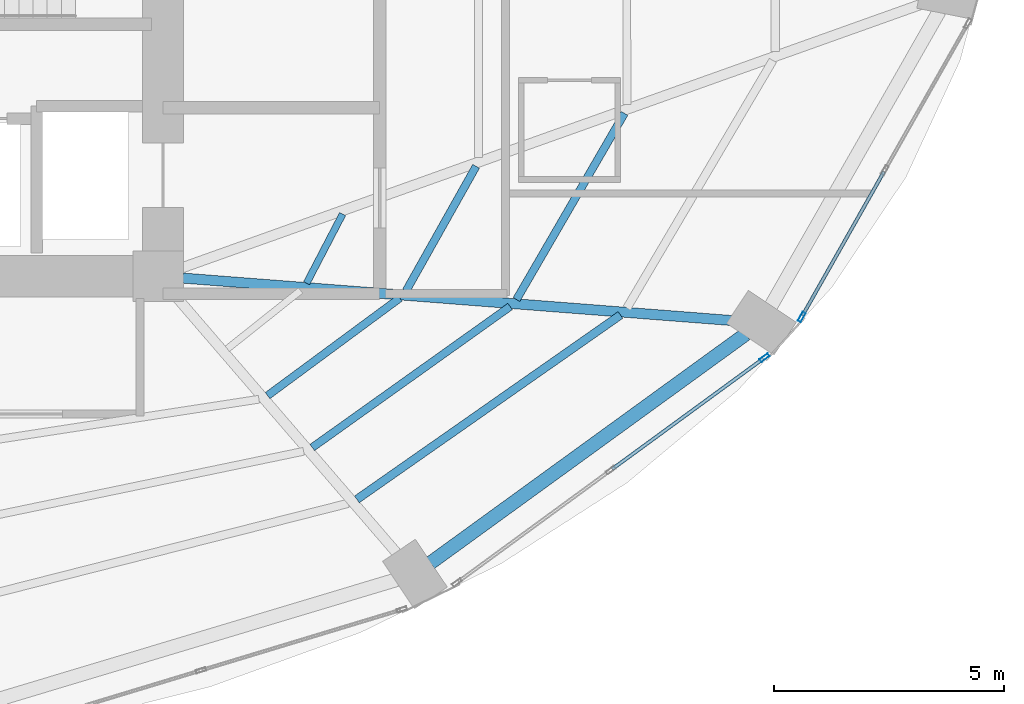
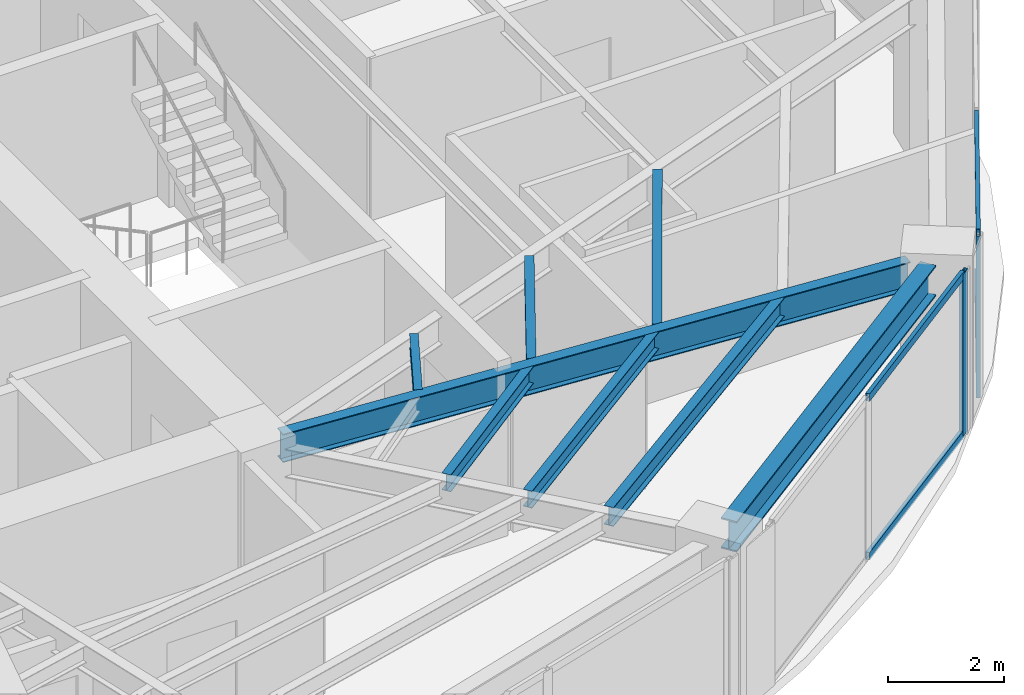
# One storey, part 10 of 25: 8 beams, 6 members, 2 elements without a shape of their own.
"""IFC4 building model written with IfcOpenShell, lengths in metres."""

from ifc_helpers import new_model, si_unit, direction, frame, origin, origin_2d, place, context, subcontext, project, spatial, hollow_rectangle, i_section, extrude, material, layer, layer_set, material_profile, profile_set, type_object, element, aggregate, save


model = new_model("IFC4")

# Units and contexts
model_context = context("Model", 3, precision=1e-05, world=origin(), true_north=direction((0.0, 1.0)))
body_context = subcontext(model_context, "Body", "Model", "MODEL_VIEW")
ifc_project = project(units=[si_unit("LENGTHUNIT", "METRE"), si_unit("AREAUNIT", "SQUARE_METRE"), si_unit("VOLUMEUNIT", "CUBIC_METRE"), si_unit("PLANEANGLEUNIT", "RADIAN"), si_unit("MASSUNIT", "GRAM", prefix="KILO")], contexts=[model_context])

# Site, building, storey
site_placement = place(None, origin())
site = spatial("IfcSite", under=ifc_project, at=site_placement, CompositionType="ELEMENT")
building_placement = place(site_placement, origin())
building = spatial("IfcBuilding", under=site, at=building_placement, Name="Lazwardi Medical Tower", CompositionType="ELEMENT")
storey_placement = place(building_placement, frame((0.0, 0.0, 28.847900390625)))
storey = spatial("IfcBuildingStorey", under=building, at=storey_placement, Name="L06", CompositionType="ELEMENT", Elevation=28.847900390625)

# Beams
ifc_material_1 = material(Name="Steel S355", Category="steel")
ifc_material_profile_1 = material_profile(ifc_material_1, i_section(OverallWidth=0.300048828125, OverallDepth=0.64990234375, WebThickness=0.01611328125, FlangeThickness=0.031005859375, at=origin_2d()), Name="HEB 650")
ifc_profile_set_1 = profile_set([ifc_material_profile_1], Name="Steel S355")
beam_type_1 = type_object("IfcBeamType", Name="BM-RB-Z1", PredefinedType="BEAM", material=ifc_profile_set_1)
beam_1_placement = place(storey_placement, frame((51.52099609375, 14.16259765625, 3.10302734375), z_axis=(0.80939338516, 0.5872668457, 0.0), x_axis=(-0.5872668457, 0.80939338516, 0.0)))
element("IfcBeam", 1, at=beam_1_placement, inside=storey, type_object=beam_type_1, Name="Ring beam RB-02 B02 L06", PredefinedType="BEAM", context=body_context, shape_type="SweptSolid", body=[
    extrude(i_section(OverallWidth=0.300048828125, OverallDepth=0.64990234375, WebThickness=0.01611328125, FlangeThickness=0.031005859375, at=origin_2d()), origin(), (0.0, 0.0, 1.0), 8.47412109375),
])
ifc_material_profile_2 = material_profile(ifc_material_1, i_section(OverallWidth=0.219970703125, OverallDepth=0.60009765625, WebThickness=0.011962890625, FlangeThickness=0.01904296875, at=origin_2d()), Name="IPE 600")
ifc_profile_set_2 = profile_set([ifc_material_profile_2], Name="Steel S355")
beam_type_2 = type_object("IfcBeamType", Name="BM-RG-W1", PredefinedType="BEAM", material=ifc_profile_set_2)
beam_2_placement = place(storey_placement, frame((58.1416015625, 19.430419921875, 3.128173828125), z_axis=(-0.997024241118, 0.077088667283, 0.0), x_axis=(-0.077088667283, -0.997024241118, 0.0)))
element("IfcBeam", 2, at=beam_2_placement, inside=storey, type_object=beam_type_2, Name="Radial girder RG-02 R03 L06", PredefinedType="BEAM", context=body_context, shape_type="SweptSolid", body=[
    extrude(i_section(OverallWidth=0.219970703125, OverallDepth=0.60009765625, WebThickness=0.011962890625, FlangeThickness=0.01904296875, at=origin_2d()), origin(), (0.0, 0.0, 1.0), 12.044189453125),
])
ifc_material_profile_3 = material_profile(ifc_material_1, i_section(OverallWidth=0.179931640625, OverallDepth=0.39990234375, WebThickness=0.008544921875, FlangeThickness=0.013427734375, at=origin_2d()), Name="IPE 400")
ifc_profile_set_3 = profile_set([ifc_material_profile_3], Name="Steel S355")
beam_type_3 = type_object("IfcBeamType", Name="BM-SJ-01", PredefinedType="JOIST", material=ifc_profile_set_3)
beam_3_placement = place(storey_placement, frame((49.91796875, 15.543701171875, 3.22802734375), z_axis=(0.81942522483, 0.573186096231, 0.0), x_axis=(-0.573186096231, 0.81942522483, 0.0)))
element("IfcBeam", 3, at=beam_3_placement, inside=storey, type_object=beam_type_3, Name="Secondary joist SJ-01 R1 B02 L06", PredefinedType="JOIST", context=body_context, shape_type="SweptSolid", body=[
    extrude(i_section(OverallWidth=0.179931640625, OverallDepth=0.39990234375, WebThickness=0.008544921875, FlangeThickness=0.013427734375, at=origin_2d()), origin(), (0.0, 0.0, 1.0), 6.999755859375),
])
ifc_material_profile_4 = material_profile(ifc_material_1, i_section(OverallWidth=0.169921875, OverallDepth=0.360107421875, WebThickness=0.008056640625, FlangeThickness=0.0126953125, at=origin_2d()), Name="IPE 360")
ifc_profile_set_4 = profile_set([ifc_material_profile_4], Name="Steel S355")
beam_type_4 = type_object("IfcBeamType", Name="BM-SJ-02", PredefinedType="JOIST", material=ifc_profile_set_4)
beam_4_placement = place(storey_placement, frame((48.94677734375, 16.672119140625, 3.248046875), z_axis=(0.814341377136, 0.580386183058, 0.0), x_axis=(-0.580386183058, 0.814341377136, 0.0)))
element("IfcBeam", 4, at=beam_4_placement, inside=storey, type_object=beam_type_4, Name="Secondary joist SJ-02 R2 B02 L06", PredefinedType="JOIST", context=body_context, shape_type="SweptSolid", body=[
    extrude(i_section(OverallWidth=0.169921875, OverallDepth=0.360107421875, WebThickness=0.008056640625, FlangeThickness=0.0126953125, at=origin_2d()), origin(), (0.0, 0.0, 1.0), 5.28759765625),
])
beam_5_placement = place(storey_placement, frame((53.39111328125, 19.892578125, 3.248046875), z_axis=(0.501798442848, 0.86498457949, 0.0), x_axis=(-0.86498457949, 0.501798442848, 0.0)))
element("IfcBeam", 5, at=beam_5_placement, inside=storey, type_object=beam_type_4, Name="Secondary joist SJ-02 R2 B03 L06", PredefinedType="JOIST", context=body_context, shape_type="SweptSolid", body=[
    extrude(i_section(OverallWidth=0.169921875, OverallDepth=0.360107421875, WebThickness=0.008056640625, FlangeThickness=0.0126953125, at=origin_2d()), origin(), (0.0, 0.0, 1.0), 4.683349609375),
])
beam_6_placement = place(storey_placement, frame((47.974853515625, 17.80126953125, 3.248046875), z_axis=(0.804580292353, 0.593843879448, 0.0), x_axis=(-0.593843879448, 0.804580292353, 0.0)))
element("IfcBeam", 6, at=beam_6_placement, inside=storey, type_object=beam_type_4, Name="Secondary joist SJ-02 R3 B02 L06", PredefinedType="JOIST", context=body_context, shape_type="SweptSolid", body=[
    extrude(i_section(OverallWidth=0.169921875, OverallDepth=0.360107421875, WebThickness=0.008056640625, FlangeThickness=0.0126953125, at=origin_2d()), origin(), (0.0, 0.0, 1.0), 3.576416015625),
])
beam_7_placement = place(storey_placement, frame((50.988037109375, 20.0791015625, 3.248046875), z_axis=(0.489974339037, 0.87173685656, 0.0), x_axis=(-0.87173685656, 0.489974339037, 0.0)))
element("IfcBeam", 7, at=beam_7_placement, inside=storey, type_object=beam_type_4, Name="Secondary joist SJ-02 R3 B03 L06", PredefinedType="JOIST", context=body_context, shape_type="SweptSolid", body=[
    extrude(i_section(OverallWidth=0.169921875, OverallDepth=0.360107421875, WebThickness=0.008056640625, FlangeThickness=0.0126953125, at=origin_2d()), origin(), (0.0, 0.0, 1.0), 3.111328125),
])
ifc_material_profile_5 = material_profile(ifc_material_1, i_section(OverallWidth=0.14990234375, OverallDepth=0.300048828125, WebThickness=0.007080078125, FlangeThickness=0.0107421875, at=origin_2d()), Name="IPE 300")
ifc_profile_set_5 = profile_set([ifc_material_profile_5], Name="Steel S355")
beam_type_5 = type_object("IfcBeamType", Name="BM-SJ-03", PredefinedType="JOIST", material=ifc_profile_set_5)
beam_8_placement = place(storey_placement, frame((48.82373046875, 20.247802734375, 3.278076171875), z_axis=(0.462162985948, 0.88679500135, 0.0), x_axis=(-0.88679500135, 0.462162985948, 0.0)))
element("IfcBeam", 8, at=beam_8_placement, inside=storey, type_object=beam_type_5, Name="Secondary joist SJ-03 R4 B03 L06", PredefinedType="JOIST", context=body_context, shape_type="SweptSolid", body=[
    extrude(i_section(OverallWidth=0.14990234375, OverallDepth=0.300048828125, WebThickness=0.007080078125, FlangeThickness=0.0107421875, at=origin_2d()), origin(), (0.0, 0.0, 1.0), 1.69775390625),
])

# Curtain wall, member
ifc_material_2 = material(Name="Anodised bronze aluminium and solar control glazing", Category="aluminium")
ifc_layer = layer(ifc_material_2, 0.199951171875)
ifc_layer_set = layer_set([ifc_layer], Name="Anodised bronze aluminium and solar control glazing")
curtain_wall_type = type_object("IfcCurtainWallType", Name="CW-SYS-02", PredefinedType="NOTDEFINED", material=ifc_layer_set)
curtain_wall_1_placement = place(storey_placement, origin())
curtain_wall_1 = element("IfcCurtainWall", 9, at=curtain_wall_1_placement, inside=storey, type_object=curtain_wall_type, Name="L06 Unitised bronze curtain wall CW-02", PredefinedType="NOTDEFINED")
ifc_material_3 = material(Name="Anodised bronze aluminium", Category="aluminium")
ifc_material_profile_6 = material_profile(ifc_material_3, hollow_rectangle(XDim=0.074951171875, YDim=0.219970703125, WallThickness=0.00390625, at=origin_2d()), Name="ALU-MULLION 220x75x4")
ifc_profile_set_6 = profile_set([ifc_material_profile_6], Name="Anodised bronze aluminium")
member_type_1 = type_object("IfcMemberType", Name="CW-MUL-01", PredefinedType="MULLION", material=ifc_profile_set_6)
member_1_placement = place(storey_placement, frame((58.790283203125, 18.62744140625, 0.0), z_axis=(0.0, 0.0, 1.0), x_axis=(-0.590289307341, 0.807191757663, 0.0)))
member_1 = element("IfcMember", 10, at=member_1_placement, type_object=member_type_1, Name="CW-02 mullion 3", PredefinedType="MULLION", context=body_context, shape_type="SweptSolid", body=[
    extrude(hollow_rectangle(XDim=0.074951171875, YDim=0.219970703125, WallThickness=0.00390625, at=origin_2d()), origin(), (0.0, 0.0, 1.0), 3.427978515625),
])

curtain_wall_2_placement = place(storey_placement, origin())
curtain_wall_2 = element("IfcCurtainWall", 11, at=curtain_wall_2_placement, inside=storey, type_object=curtain_wall_type, Name="L06 Unitised bronze curtain wall CW-02", PredefinedType="NOTDEFINED")
member_2_placement = place(storey_placement, frame((59.5966796875, 19.511474609375, 0.0), z_axis=(0.0, 0.0, 1.0), x_axis=(-0.870111838823, 0.492854327303, 0.0)))
member_2 = element("IfcMember", 12, at=member_2_placement, type_object=member_type_1, Name="CW-02 mullion 1", PredefinedType="MULLION", context=body_context, shape_type="SweptSolid", body=[
    extrude(hollow_rectangle(XDim=0.074951171875, YDim=0.219970703125, WallThickness=0.00390625, at=origin_2d()), origin(), (0.0, 0.0, 1.0), 3.427978515625),
])

# Member
ifc_material_profile_7 = material_profile(ifc_material_3, hollow_rectangle(XDim=0.074951171875, YDim=0.159912109375, WallThickness=0.00390625, at=origin_2d()), Name="ALU-TRANSOM 160x75x4")
ifc_profile_set_7 = profile_set([ifc_material_profile_7], Name="Anodised bronze aluminium")
member_type_2 = type_object("IfcMemberType", Name="CW-TRN-01", PredefinedType="USERDEFINED", material=ifc_profile_set_7)
member_3_placement = place(storey_placement, frame((55.474609375, 16.202880859375, 0.03759765625), z_axis=(0.807218536774, 0.590252686472, 0.0), x_axis=(-0.590252686472, 0.807218536774, 0.0)))
member_3 = element("IfcMember", 13, at=member_3_placement, type_object=member_type_2, Name="CW-02 transom 2.1", ObjectType="TRANSOM", PredefinedType="USERDEFINED", context=body_context, shape_type="SweptSolid", body=[
    extrude(hollow_rectangle(XDim=0.074951171875, YDim=0.159912109375, WallThickness=0.00390625, at=origin_2d()), origin(), (0.0, 0.0, 1.0), 4.070068359375),
])

member_4_placement = place(storey_placement, frame((55.474609375, 16.202880859375, 3.390625), z_axis=(0.807218536774, 0.590252686472, 0.0), x_axis=(-0.590252686472, 0.807218536774, 0.0)))
member_4 = element("IfcMember", 14, at=member_4_placement, type_object=member_type_2, Name="CW-02 transom 2.2", ObjectType="TRANSOM", PredefinedType="USERDEFINED", context=body_context, shape_type="SweptSolid", body=[
    extrude(hollow_rectangle(XDim=0.074951171875, YDim=0.159912109375, WallThickness=0.00390625, at=origin_2d()), origin(), (0.0, 0.0, 1.0), 4.070068359375),
])

aggregate(curtain_wall_1, [member_1, member_3, member_4])

member_5_placement = place(storey_placement, frame((59.615234375, 19.5439453125, 0.03759765625), z_axis=(0.49285148925, 0.870113446365, 0.0), x_axis=(-0.870113446365, 0.49285148925, 0.0)))
member_5 = element("IfcMember", 15, at=member_5_placement, type_object=member_type_2, Name="CW-02 transom 1.1", ObjectType="TRANSOM", PredefinedType="USERDEFINED", context=body_context, shape_type="SweptSolid", body=[
    extrude(hollow_rectangle(XDim=0.074951171875, YDim=0.159912109375, WallThickness=0.00390625, at=origin_2d()), origin(), (0.0, 0.0, 1.0), 3.594970703125),
])

member_6_placement = place(storey_placement, frame((59.615234375, 19.5439453125, 3.390625), z_axis=(0.49285148925, 0.870113446365, 0.0), x_axis=(-0.870113446365, 0.49285148925, 0.0)))
member_6 = element("IfcMember", 16, at=member_6_placement, type_object=member_type_2, Name="CW-02 transom 1.2", ObjectType="TRANSOM", PredefinedType="USERDEFINED", context=body_context, shape_type="SweptSolid", body=[
    extrude(hollow_rectangle(XDim=0.074951171875, YDim=0.159912109375, WallThickness=0.00390625, at=origin_2d()), origin(), (0.0, 0.0, 1.0), 3.594970703125),
])

aggregate(curtain_wall_2, [member_2, member_5, member_6])

save(model, "model.ifc")
